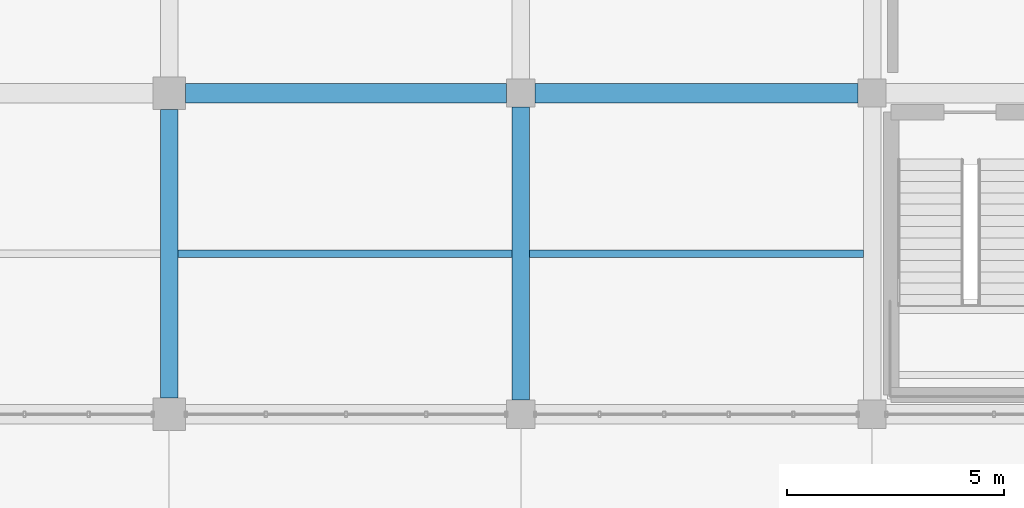
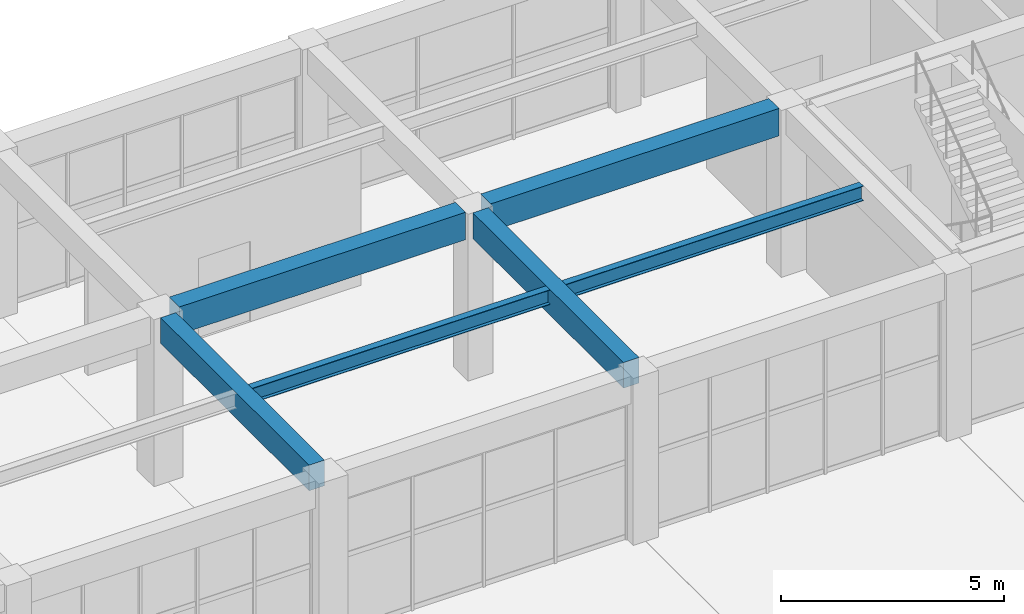
# One storey, part 42 of 161: 6 beams.
"""IFC4 building model written with IfcOpenShell, lengths in metres."""

from ifc_helpers import new_model, si_unit, direction, frame, origin, origin_2d, place, context, subcontext, project, spatial, rectangle, i_section, extrude, material, material_profile, profile_set, type_object, element, save


model = new_model("IFC4")

# Units and contexts
model_context = context("Model", 3, precision=1e-05, world=origin(), true_north=direction((0.0, 1.0)))
body_context = subcontext(model_context, "Body", "Model", "MODEL_VIEW")
ifc_project = project(units=[si_unit("LENGTHUNIT", "METRE"), si_unit("AREAUNIT", "SQUARE_METRE"), si_unit("VOLUMEUNIT", "CUBIC_METRE"), si_unit("PLANEANGLEUNIT", "RADIAN"), si_unit("MASSUNIT", "GRAM", prefix="KILO")], contexts=[model_context])

# Site, building, storey
site_placement = place(None, origin())
site = spatial("IfcSite", under=ifc_project, at=site_placement, CompositionType="ELEMENT")
building_placement = place(site_placement, origin())
building = spatial("IfcBuilding", under=site, at=building_placement, Name="Cimatlan Art Gallery", CompositionType="ELEMENT")
storey_placement = place(building_placement, frame((0.0, 0.0, 5.39990234375)))
storey = spatial("IfcBuildingStorey", under=building, at=storey_placement, Name="L01", CompositionType="ELEMENT", Elevation=5.39990234375)

# Beams
ifc_material_1 = material(Name="Concrete C40/50", Category="concrete")
ifc_material_profile_1 = material_profile(ifc_material_1, rectangle(XDim=0.39990234375, YDim=0.699951171875, at=origin_2d()), Name="RC400X700")
ifc_profile_set_1 = profile_set([ifc_material_profile_1], Name="Concrete C40/50")
beam_type_1 = type_object("IfcBeamType", Name="BM-RC-400X700", PredefinedType="BEAM", material=ifc_profile_set_1)
beam_1_placement = place(storey_placement, frame((99.199951171875, 24.27490234375, 4.210205078125), z_axis=(0.0, 1.0, 0.0), x_axis=(-1.0, 0.0, 0.0)))
element("IfcBeam", 1, at=beam_1_placement, inside=storey, type_object=beam_type_1, Name="BM-Y-L01-12-03", PredefinedType="BEAM", context=body_context, shape_type="SweptSolid", body=[
    extrude(rectangle(XDim=0.39990234375, YDim=0.699951171875, at=origin_2d()), origin(), (0.0, 0.0, 1.0), 6.650146484375),
])
beam_2_placement = place(storey_placement, frame((107.300048828125, 24.22509765625, 4.210205078125), z_axis=(0.0, 1.0, 0.0), x_axis=(-1.0, 0.0, 0.0)))
element("IfcBeam", 2, at=beam_2_placement, inside=storey, type_object=beam_type_1, Name="BM-Y-L01-13-03", PredefinedType="BEAM", context=body_context, shape_type="SweptSolid", body=[
    extrude(rectangle(XDim=0.39990234375, YDim=0.699951171875, at=origin_2d()), origin(), (0.0, 0.0, 1.0), 6.75),
])
ifc_material_profile_2 = material_profile(ifc_material_1, rectangle(XDim=0.449951171875, YDim=0.75, at=origin_2d()), Name="RC450X750")
ifc_profile_set_2 = profile_set([ifc_material_profile_2], Name="Concrete C40/50")
beam_type_2 = type_object("IfcBeamType", Name="BM-RC-450X750", PredefinedType="BEAM", material=ifc_profile_set_2)
beam_3_placement = place(storey_placement, frame((99.574951171875, 31.300048828125, 4.18505859375), z_axis=(1.0, 0.0, 0.0), x_axis=(0.0, 1.0, 0.0)))
element("IfcBeam", 3, at=beam_3_placement, inside=storey, type_object=beam_type_2, Name="BM-X-L01-12-04", PredefinedType="BEAM", context=body_context, shape_type="SweptSolid", body=[
    extrude(rectangle(XDim=0.449951171875, YDim=0.75, at=origin_2d()), origin(), (0.0, 0.0, 1.0), 7.400146484375),
])
beam_4_placement = place(storey_placement, frame((107.625, 31.300048828125, 4.18505859375), z_axis=(1.0, 0.0, 0.0), x_axis=(0.0, 1.0, 0.0)))
element("IfcBeam", 4, at=beam_4_placement, inside=storey, type_object=beam_type_2, Name="BM-X-L01-13-04", PredefinedType="BEAM", context=body_context, shape_type="SweptSolid", body=[
    extrude(rectangle(XDim=0.449951171875, YDim=0.75, at=origin_2d()), origin(), (0.0, 0.0, 1.0), 7.449951171875),
])
ifc_material_2 = material(Name="Steel ASTM A992 Grade 50", Category="steel")
ifc_material_profile_3 = material_profile(ifc_material_2, i_section(OverallWidth=0.177978515625, OverallDepth=0.406982421875, WebThickness=0.0078125, FlangeThickness=0.0126953125, at=origin_2d()), Name="W16X40")
ifc_profile_set_3 = profile_set([ifc_material_profile_3], Name="Steel ASTM A992 Grade 50")
beam_type_3 = type_object("IfcBeamType", Name="BM-STL-W16X40", PredefinedType="JOIST", material=ifc_profile_set_3)
beam_5_placement = place(storey_placement, frame((99.39990234375, 27.60009765625, 4.356689453125), z_axis=(1.0, 0.0, 0.0), x_axis=(0.0, 1.0, 0.0)))
element("IfcBeam", 5, at=beam_5_placement, inside=storey, type_object=beam_type_3, Name="JST-L01-12-03", PredefinedType="JOIST", context=body_context, shape_type="SweptSolid", body=[
    extrude(i_section(OverallWidth=0.177978515625, OverallDepth=0.406982421875, WebThickness=0.0078125, FlangeThickness=0.0126953125, at=origin_2d()), origin(), (0.0, 0.0, 1.0), 7.7001953125),
])
beam_6_placement = place(storey_placement, frame((107.5, 27.60009765625, 4.356689453125), z_axis=(1.0, 0.0, 0.0), x_axis=(0.0, 1.0, 0.0)))
element("IfcBeam", 6, at=beam_6_placement, inside=storey, type_object=beam_type_3, Name="JST-L01-13-03", PredefinedType="JOIST", context=body_context, shape_type="SweptSolid", body=[
    extrude(i_section(OverallWidth=0.177978515625, OverallDepth=0.406982421875, WebThickness=0.0078125, FlangeThickness=0.0126953125, at=origin_2d()), origin(), (0.0, 0.0, 1.0), 7.699951171875),
])

save(model, "model.ifc")
